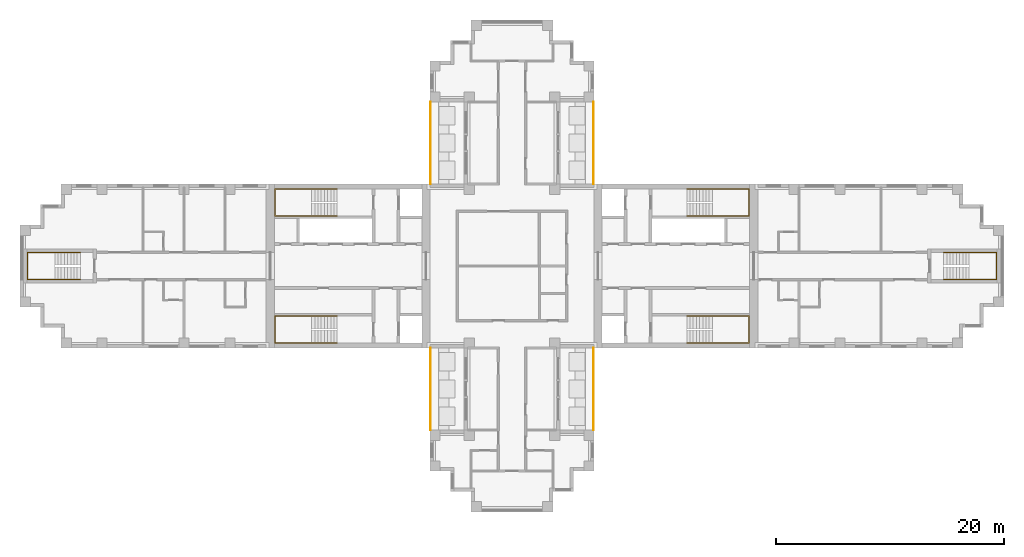
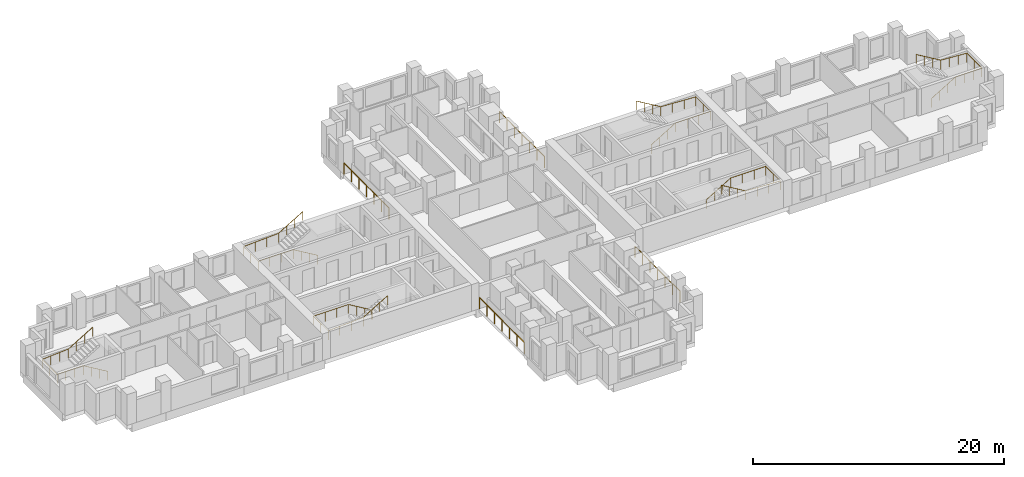
# One storey, part 11 of 12: 10 railings.
"""IFC4 building model written with IfcOpenShell, lengths in metres."""

from ifc_helpers import new_model, si_unit, direction, frame, origin, origin_2d, place, context, subcontext, project, spatial, circle, extrude, material, type_object, element, save


model = new_model("IFC4")

# Units and contexts
model_context = context("Model", 3, precision=1e-05, world=origin(), true_north=direction((0.0, 1.0)))
body_context = subcontext(model_context, "Body", "Model", "MODEL_VIEW")
ifc_project = project(units=[si_unit("LENGTHUNIT", "METRE"), si_unit("AREAUNIT", "SQUARE_METRE"), si_unit("VOLUMEUNIT", "CUBIC_METRE"), si_unit("PLANEANGLEUNIT", "RADIAN"), si_unit("MASSUNIT", "GRAM", prefix="KILO")], contexts=[model_context])

# Site, building, storey
site_placement = place(None, origin())
site = spatial("IfcSite", under=ifc_project, at=site_placement, CompositionType="ELEMENT")
building_placement = place(site_placement, origin())
building = spatial("IfcBuilding", under=site, at=building_placement, Name="Fustian Cross Tower", CompositionType="ELEMENT")
storey_placement = place(building_placement, frame((0.0, 0.0, 132.300048828125)))
storey = spatial("IfcBuildingStorey", under=building, at=storey_placement, Name="L41", CompositionType="ELEMENT", Elevation=132.300048828125)

# Railings
ifc_material_1 = material(Name="Stainless steel and glass", Category="steel")
railing_type_1 = type_object("IfcRailingType", Name="GR1 BALCONY GUARD 1100", PredefinedType="GUARDRAIL", material=ifc_material_1)
for number, where, name in (
    (1, (7.14990234375, 7.199951171875, 0.0), "Balcony guard"),
    (2, (-7.14990234375, 7.199951171875, 0.0), "Balcony guard"),
    (3, (7.14990234375, -14.39990234375, 0.0), "Balcony guard"),
    (4, (-7.14990234375, -14.39990234375, 0.0), "Balcony guard"),
):
    element("IfcRailing", number, at=place(storey_placement, frame(where)), inside=storey, type_object=railing_type_1, Name=name, PredefinedType="GUARDRAIL", context=body_context, shape_type="SweptSolid", body=[
        extrude(circle(Radius=0.02392578125, at=origin_2d()), frame((0.0, 0.0, 1.076171875), z_axis=(0.0, 1.0, 0.0), x_axis=(-1.0, 0.0, 0.0)), (0.0, 0.0, 1.0), 7.199951171875),
        extrude(circle(Radius=0.02099609375, at=origin_2d()), origin(), (0.0, 0.0, 1.0), 1.052001953125),
        extrude(circle(Radius=0.02099609375, at=origin_2d()), frame((0.0, 1.199951171875, 0.0)), (0.0, 0.0, 1.0), 1.052001953125),
        extrude(circle(Radius=0.02099609375, at=origin_2d()), frame((0.0, 2.39990234375, 0.0)), (0.0, 0.0, 1.0), 1.052001953125),
        extrude(circle(Radius=0.02099609375, at=origin_2d()), frame((0.0, 3.60009765625, 0.0)), (0.0, 0.0, 1.0), 1.052001953125),
        extrude(circle(Radius=0.02099609375, at=origin_2d()), frame((0.0, 4.800048828125, 0.0)), (0.0, 0.0, 1.0), 1.052001953125),
        extrude(circle(Radius=0.02099609375, at=origin_2d()), frame((0.0, 6.0, 0.0)), (0.0, 0.0, 1.0), 1.052001953125),
        extrude(circle(Radius=0.02099609375, at=origin_2d()), frame((0.0, 7.199951171875, 0.0)), (0.0, 0.0, 1.0), 1.052001953125),
    ])
ifc_material_2 = material(Name="Stainless steel", Category="steel")
railing_type_2 = type_object("IfcRailingType", Name="STAIR HANDRAIL", PredefinedType="HANDRAIL", material=ifc_material_2)
railing_1_placement = place(storey_placement, frame((15.35009765625, 4.39990234375, 0.16650390625)))
element("IfcRailing", 5, at=railing_1_placement, inside=storey, type_object=railing_type_2, Name="Stair ST1 handrail 1", PredefinedType="HANDRAIL", context=body_context, shape_type="SweptSolid", body=[
    extrude(circle(Radius=0.02490234375, at=origin_2d()), frame((0.0, 0.0, 0.875), z_axis=(0.859264461869, 0.0, 0.511531606619), x_axis=(0.0, 1.0, 0.0)), (0.0, 0.0, 1.0), 2.60693359375),
    extrude(circle(Radius=0.02490234375, at=origin_2d()), frame((2.239990234375, 0.0, 2.20849609375), z_axis=(1.0, 0.0, 0.0), x_axis=(0.0, 1.0, 0.0)), (0.0, 0.0, 1.0), 3.219970703125),
    extrude(circle(Radius=0.02490234375, at=origin_2d()), frame((5.4599609375, 0.0, 2.20849609375), z_axis=(0.0, 1.0, 0.0), x_axis=(-1.0, 0.0, 0.0)), (0.0, 0.0, 1.0), 2.35009765625),
    extrude(circle(Radius=0.02490234375, at=origin_2d()), frame((5.4599609375, 2.35009765625, 2.20849609375), z_axis=(-0.998665725648, 0.0, 0.051640763128), x_axis=(0.0, -1.0, 0.0)), (0.0, 0.0, 1.0), 3.224365234375),
    extrude(circle(Radius=0.02490234375, at=origin_2d()), frame((2.239990234375, 2.35009765625, 2.375), z_axis=(-0.859264461869, 0.0, 0.511531606619), x_axis=(0.0, -1.0, 0.0)), (0.0, 0.0, 1.0), 2.60693359375),
    extrude(circle(Radius=0.02001953125, at=origin_2d()), origin(), (0.0, 0.0, 1.0), 0.849853515625),
    extrude(circle(Radius=0.02001953125, at=origin_2d()), frame((0.74658203125, 0.0, 0.444580078125)), (0.0, 0.0, 1.0), 0.849853515625),
    extrude(circle(Radius=0.02001953125, at=origin_2d()), frame((1.493408203125, 0.0, 0.888916015625)), (0.0, 0.0, 1.0), 0.849853515625),
    extrude(circle(Radius=0.02001953125, at=origin_2d()), frame((2.239990234375, 0.0, 1.33349609375)), (0.0, 0.0, 1.0), 0.849853515625),
    extrude(circle(Radius=0.02001953125, at=origin_2d()), frame((3.313232421875, 0.0, 1.33349609375)), (0.0, 0.0, 1.0), 0.849853515625),
    extrude(circle(Radius=0.02001953125, at=origin_2d()), frame((4.38671875, 0.0, 1.33349609375)), (0.0, 0.0, 1.0), 0.849853515625),
    extrude(circle(Radius=0.02001953125, at=origin_2d()), frame((5.4599609375, 0.0, 1.33349609375)), (0.0, 0.0, 1.0), 0.849853515625),
    extrude(circle(Radius=0.02001953125, at=origin_2d()), frame((5.4599609375, 1.175048828125, 1.33349609375)), (0.0, 0.0, 1.0), 0.849853515625),
    extrude(circle(Radius=0.02001953125, at=origin_2d()), frame((5.4599609375, 2.35009765625, 1.33349609375)), (0.0, 0.0, 1.0), 0.849853515625),
    extrude(circle(Radius=0.02001953125, at=origin_2d()), frame((4.38671875, 2.35009765625, 1.388916015625)), (0.0, 0.0, 1.0), 0.849853515625),
    extrude(circle(Radius=0.02001953125, at=origin_2d()), frame((3.313232421875, 2.35009765625, 1.444580078125)), (0.0, 0.0, 1.0), 0.849853515625),
    extrude(circle(Radius=0.02001953125, at=origin_2d()), frame((2.239990234375, 2.35009765625, 1.5)), (0.0, 0.0, 1.0), 0.849853515625),
    extrude(circle(Radius=0.02001953125, at=origin_2d()), frame((1.493408203125, 2.35009765625, 1.944580078125)), (0.0, 0.0, 1.0), 0.849853515625),
    extrude(circle(Radius=0.02001953125, at=origin_2d()), frame((0.74658203125, 2.35009765625, 2.388916015625)), (0.0, 0.0, 1.0), 0.849853515625),
    extrude(circle(Radius=0.02001953125, at=origin_2d()), frame((0.0, 2.35009765625, 2.83349609375)), (0.0, 0.0, 1.0), 0.849853515625),
])
railing_2_placement = place(storey_placement, frame((15.35009765625, -4.39990234375, 0.16650390625)))
element("IfcRailing", 6, at=railing_2_placement, inside=storey, type_object=railing_type_2, Name="Stair ST2 handrail 1", PredefinedType="HANDRAIL", context=body_context, shape_type="SweptSolid", body=[
    extrude(circle(Radius=0.02490234375, at=origin_2d()), frame((0.0, 0.0, 0.875), z_axis=(0.859264461869, 0.0, 0.511531606619), x_axis=(0.0, 1.0, 0.0)), (0.0, 0.0, 1.0), 2.60693359375),
    extrude(circle(Radius=0.02490234375, at=origin_2d()), frame((2.239990234375, 0.0, 2.20849609375), z_axis=(1.0, 0.0, 0.0), x_axis=(0.0, 1.0, 0.0)), (0.0, 0.0, 1.0), 3.219970703125),
    extrude(circle(Radius=0.02490234375, at=origin_2d()), frame((5.4599609375, 0.0, 2.20849609375), z_axis=(0.0, -1.0, 0.0), x_axis=(1.0, 0.0, 0.0)), (0.0, 0.0, 1.0), 2.35009765625),
    extrude(circle(Radius=0.02490234375, at=origin_2d()), frame((5.4599609375, -2.35009765625, 2.20849609375), z_axis=(-0.998665725648, 0.0, 0.051640763128), x_axis=(0.0, -1.0, 0.0)), (0.0, 0.0, 1.0), 3.224365234375),
    extrude(circle(Radius=0.02490234375, at=origin_2d()), frame((2.239990234375, -2.35009765625, 2.375), z_axis=(-0.859264461869, 0.0, 0.511531606619), x_axis=(0.0, -1.0, 0.0)), (0.0, 0.0, 1.0), 2.60693359375),
    extrude(circle(Radius=0.02001953125, at=origin_2d()), origin(), (0.0, 0.0, 1.0), 0.849853515625),
    extrude(circle(Radius=0.02001953125, at=origin_2d()), frame((0.74658203125, 0.0, 0.444580078125)), (0.0, 0.0, 1.0), 0.849853515625),
    extrude(circle(Radius=0.02001953125, at=origin_2d()), frame((1.493408203125, 0.0, 0.888916015625)), (0.0, 0.0, 1.0), 0.849853515625),
    extrude(circle(Radius=0.02001953125, at=origin_2d()), frame((2.239990234375, 0.0, 1.33349609375)), (0.0, 0.0, 1.0), 0.849853515625),
    extrude(circle(Radius=0.02001953125, at=origin_2d()), frame((3.313232421875, 0.0, 1.33349609375)), (0.0, 0.0, 1.0), 0.849853515625),
    extrude(circle(Radius=0.02001953125, at=origin_2d()), frame((4.38671875, 0.0, 1.33349609375)), (0.0, 0.0, 1.0), 0.849853515625),
    extrude(circle(Radius=0.02001953125, at=origin_2d()), frame((5.4599609375, 0.0, 1.33349609375)), (0.0, 0.0, 1.0), 0.849853515625),
    extrude(circle(Radius=0.02001953125, at=origin_2d()), frame((5.4599609375, -1.175048828125, 1.33349609375)), (0.0, 0.0, 1.0), 0.849853515625),
    extrude(circle(Radius=0.02001953125, at=origin_2d()), frame((5.4599609375, -2.35009765625, 1.33349609375)), (0.0, 0.0, 1.0), 0.849853515625),
    extrude(circle(Radius=0.02001953125, at=origin_2d()), frame((4.38671875, -2.35009765625, 1.388916015625)), (0.0, 0.0, 1.0), 0.849853515625),
    extrude(circle(Radius=0.02001953125, at=origin_2d()), frame((3.313232421875, -2.35009765625, 1.444580078125)), (0.0, 0.0, 1.0), 0.849853515625),
    extrude(circle(Radius=0.02001953125, at=origin_2d()), frame((2.239990234375, -2.35009765625, 1.5)), (0.0, 0.0, 1.0), 0.849853515625),
    extrude(circle(Radius=0.02001953125, at=origin_2d()), frame((1.493408203125, -2.35009765625, 1.944580078125)), (0.0, 0.0, 1.0), 0.849853515625),
    extrude(circle(Radius=0.02001953125, at=origin_2d()), frame((0.74658203125, -2.35009765625, 2.388916015625)), (0.0, 0.0, 1.0), 0.849853515625),
    extrude(circle(Radius=0.02001953125, at=origin_2d()), frame((0.0, -2.35009765625, 2.83349609375)), (0.0, 0.0, 1.0), 0.849853515625),
])
railing_3_placement = place(storey_placement, frame((-15.35009765625, 4.39990234375, 0.16650390625)))
element("IfcRailing", 7, at=railing_3_placement, inside=storey, type_object=railing_type_2, Name="Stair ST3 handrail 1", PredefinedType="HANDRAIL", context=body_context, shape_type="SweptSolid", body=[
    extrude(circle(Radius=0.02490234375, at=origin_2d()), frame((0.0, 0.0, 0.875), z_axis=(-0.859264461869, 0.0, 0.511531606619), x_axis=(0.0, -1.0, 0.0)), (0.0, 0.0, 1.0), 2.60693359375),
    extrude(circle(Radius=0.02490234375, at=origin_2d()), frame((-2.239990234375, 0.0, 2.20849609375), z_axis=(-1.0, 0.0, 0.0), x_axis=(0.0, -1.0, 0.0)), (0.0, 0.0, 1.0), 3.219970703125),
    extrude(circle(Radius=0.02490234375, at=origin_2d()), frame((-5.4599609375, 0.0, 2.20849609375), z_axis=(0.0, 1.0, 0.0), x_axis=(-1.0, 0.0, 0.0)), (0.0, 0.0, 1.0), 2.35009765625),
    extrude(circle(Radius=0.02490234375, at=origin_2d()), frame((-5.4599609375, 2.35009765625, 2.20849609375), z_axis=(0.998665725648, 0.0, 0.051640763128), x_axis=(0.0, 1.0, 0.0)), (0.0, 0.0, 1.0), 3.224365234375),
    extrude(circle(Radius=0.02490234375, at=origin_2d()), frame((-2.239990234375, 2.35009765625, 2.375), z_axis=(0.859264461869, 0.0, 0.511531606619), x_axis=(0.0, 1.0, 0.0)), (0.0, 0.0, 1.0), 2.60693359375),
    extrude(circle(Radius=0.02001953125, at=origin_2d()), origin(), (0.0, 0.0, 1.0), 0.849853515625),
    extrude(circle(Radius=0.02001953125, at=origin_2d()), frame((-0.74658203125, 0.0, 0.444580078125)), (0.0, 0.0, 1.0), 0.849853515625),
    extrude(circle(Radius=0.02001953125, at=origin_2d()), frame((-1.493408203125, 0.0, 0.888916015625)), (0.0, 0.0, 1.0), 0.849853515625),
    extrude(circle(Radius=0.02001953125, at=origin_2d()), frame((-2.239990234375, 0.0, 1.33349609375)), (0.0, 0.0, 1.0), 0.849853515625),
    extrude(circle(Radius=0.02001953125, at=origin_2d()), frame((-3.313232421875, 0.0, 1.33349609375)), (0.0, 0.0, 1.0), 0.849853515625),
    extrude(circle(Radius=0.02001953125, at=origin_2d()), frame((-4.38671875, 0.0, 1.33349609375)), (0.0, 0.0, 1.0), 0.849853515625),
    extrude(circle(Radius=0.02001953125, at=origin_2d()), frame((-5.4599609375, 0.0, 1.33349609375)), (0.0, 0.0, 1.0), 0.849853515625),
    extrude(circle(Radius=0.02001953125, at=origin_2d()), frame((-5.4599609375, 1.175048828125, 1.33349609375)), (0.0, 0.0, 1.0), 0.849853515625),
    extrude(circle(Radius=0.02001953125, at=origin_2d()), frame((-5.4599609375, 2.35009765625, 1.33349609375)), (0.0, 0.0, 1.0), 0.849853515625),
    extrude(circle(Radius=0.02001953125, at=origin_2d()), frame((-4.38671875, 2.35009765625, 1.388916015625)), (0.0, 0.0, 1.0), 0.849853515625),
    extrude(circle(Radius=0.02001953125, at=origin_2d()), frame((-3.313232421875, 2.35009765625, 1.444580078125)), (0.0, 0.0, 1.0), 0.849853515625),
    extrude(circle(Radius=0.02001953125, at=origin_2d()), frame((-2.239990234375, 2.35009765625, 1.5)), (0.0, 0.0, 1.0), 0.849853515625),
    extrude(circle(Radius=0.02001953125, at=origin_2d()), frame((-1.493408203125, 2.35009765625, 1.944580078125)), (0.0, 0.0, 1.0), 0.849853515625),
    extrude(circle(Radius=0.02001953125, at=origin_2d()), frame((-0.74658203125, 2.35009765625, 2.388916015625)), (0.0, 0.0, 1.0), 0.849853515625),
    extrude(circle(Radius=0.02001953125, at=origin_2d()), frame((0.0, 2.35009765625, 2.83349609375)), (0.0, 0.0, 1.0), 0.849853515625),
])
railing_4_placement = place(storey_placement, frame((-15.35009765625, -4.39990234375, 0.16650390625)))
element("IfcRailing", 8, at=railing_4_placement, inside=storey, type_object=railing_type_2, Name="Stair ST4 handrail 1", PredefinedType="HANDRAIL", context=body_context, shape_type="SweptSolid", body=[
    extrude(circle(Radius=0.02490234375, at=origin_2d()), frame((0.0, 0.0, 0.875), z_axis=(-0.859264461869, 0.0, 0.511531606619), x_axis=(0.0, -1.0, 0.0)), (0.0, 0.0, 1.0), 2.60693359375),
    extrude(circle(Radius=0.02490234375, at=origin_2d()), frame((-2.239990234375, 0.0, 2.20849609375), z_axis=(-1.0, 0.0, 0.0), x_axis=(0.0, -1.0, 0.0)), (0.0, 0.0, 1.0), 3.219970703125),
    extrude(circle(Radius=0.02490234375, at=origin_2d()), frame((-5.4599609375, 0.0, 2.20849609375), z_axis=(0.0, -1.0, 0.0), x_axis=(1.0, 0.0, 0.0)), (0.0, 0.0, 1.0), 2.35009765625),
    extrude(circle(Radius=0.02490234375, at=origin_2d()), frame((-5.4599609375, -2.35009765625, 2.20849609375), z_axis=(0.998665725648, 0.0, 0.051640763128), x_axis=(0.0, 1.0, 0.0)), (0.0, 0.0, 1.0), 3.224365234375),
    extrude(circle(Radius=0.02490234375, at=origin_2d()), frame((-2.239990234375, -2.35009765625, 2.375), z_axis=(0.859264461869, 0.0, 0.511531606619), x_axis=(0.0, 1.0, 0.0)), (0.0, 0.0, 1.0), 2.60693359375),
    extrude(circle(Radius=0.02001953125, at=origin_2d()), origin(), (0.0, 0.0, 1.0), 0.849853515625),
    extrude(circle(Radius=0.02001953125, at=origin_2d()), frame((-0.74658203125, 0.0, 0.444580078125)), (0.0, 0.0, 1.0), 0.849853515625),
    extrude(circle(Radius=0.02001953125, at=origin_2d()), frame((-1.493408203125, 0.0, 0.888916015625)), (0.0, 0.0, 1.0), 0.849853515625),
    extrude(circle(Radius=0.02001953125, at=origin_2d()), frame((-2.239990234375, 0.0, 1.33349609375)), (0.0, 0.0, 1.0), 0.849853515625),
    extrude(circle(Radius=0.02001953125, at=origin_2d()), frame((-3.313232421875, 0.0, 1.33349609375)), (0.0, 0.0, 1.0), 0.849853515625),
    extrude(circle(Radius=0.02001953125, at=origin_2d()), frame((-4.38671875, 0.0, 1.33349609375)), (0.0, 0.0, 1.0), 0.849853515625),
    extrude(circle(Radius=0.02001953125, at=origin_2d()), frame((-5.4599609375, 0.0, 1.33349609375)), (0.0, 0.0, 1.0), 0.849853515625),
    extrude(circle(Radius=0.02001953125, at=origin_2d()), frame((-5.4599609375, -1.175048828125, 1.33349609375)), (0.0, 0.0, 1.0), 0.849853515625),
    extrude(circle(Radius=0.02001953125, at=origin_2d()), frame((-5.4599609375, -2.35009765625, 1.33349609375)), (0.0, 0.0, 1.0), 0.849853515625),
    extrude(circle(Radius=0.02001953125, at=origin_2d()), frame((-4.38671875, -2.35009765625, 1.388916015625)), (0.0, 0.0, 1.0), 0.849853515625),
    extrude(circle(Radius=0.02001953125, at=origin_2d()), frame((-3.313232421875, -2.35009765625, 1.444580078125)), (0.0, 0.0, 1.0), 0.849853515625),
    extrude(circle(Radius=0.02001953125, at=origin_2d()), frame((-2.239990234375, -2.35009765625, 1.5)), (0.0, 0.0, 1.0), 0.849853515625),
    extrude(circle(Radius=0.02001953125, at=origin_2d()), frame((-1.493408203125, -2.35009765625, 1.944580078125)), (0.0, 0.0, 1.0), 0.849853515625),
    extrude(circle(Radius=0.02001953125, at=origin_2d()), frame((-0.74658203125, -2.35009765625, 2.388916015625)), (0.0, 0.0, 1.0), 0.849853515625),
    extrude(circle(Radius=0.02001953125, at=origin_2d()), frame((0.0, -2.35009765625, 2.83349609375)), (0.0, 0.0, 1.0), 0.849853515625),
])
railing_5_placement = place(storey_placement, frame((37.89990234375, -1.199951171875, 0.16650390625)))
element("IfcRailing", 9, at=railing_5_placement, inside=storey, type_object=railing_type_2, Name="Stair ST8 handrail 1", PredefinedType="HANDRAIL", context=body_context, shape_type="SweptSolid", body=[
    extrude(circle(Radius=0.02490234375, at=origin_2d()), frame((0.0, 0.0, 0.875), z_axis=(0.859264461869, 0.0, 0.511531606619), x_axis=(0.0, 1.0, 0.0)), (0.0, 0.0, 1.0), 2.60693359375),
    extrude(circle(Radius=0.02490234375, at=origin_2d()), frame((2.239990234375, 0.0, 2.20849609375), z_axis=(1.0, 0.0, 0.0), x_axis=(0.0, 1.0, 0.0)), (0.0, 0.0, 1.0), 2.420166015625),
    extrude(circle(Radius=0.02490234375, at=origin_2d()), frame((4.66015625, 0.0, 2.20849609375), z_axis=(0.0, 1.0, 0.0), x_axis=(-1.0, 0.0, 0.0)), (0.0, 0.0, 1.0), 2.39990234375),
    extrude(circle(Radius=0.02490234375, at=origin_2d()), frame((4.66015625, 2.39990234375, 2.20849609375), z_axis=(-0.997641748275, 0.0, 0.068636303069), x_axis=(0.0, -1.0, 0.0)), (0.0, 0.0, 1.0), 2.42578125),
    extrude(circle(Radius=0.02490234375, at=origin_2d()), frame((2.239990234375, 2.39990234375, 2.375), z_axis=(-0.859264461869, 0.0, 0.511531606619), x_axis=(0.0, -1.0, 0.0)), (0.0, 0.0, 1.0), 2.60693359375),
    extrude(circle(Radius=0.02001953125, at=origin_2d()), origin(), (0.0, 0.0, 1.0), 0.849853515625),
    extrude(circle(Radius=0.02001953125, at=origin_2d()), frame((0.74658203125, 0.0, 0.444580078125)), (0.0, 0.0, 1.0), 0.849853515625),
    extrude(circle(Radius=0.02001953125, at=origin_2d()), frame((1.493408203125, 0.0, 0.888916015625)), (0.0, 0.0, 1.0), 0.849853515625),
    extrude(circle(Radius=0.02001953125, at=origin_2d()), frame((2.239990234375, 0.0, 1.33349609375)), (0.0, 0.0, 1.0), 0.849853515625),
    extrude(circle(Radius=0.02001953125, at=origin_2d()), frame((3.046630859375, 0.0, 1.33349609375)), (0.0, 0.0, 1.0), 0.849853515625),
    extrude(circle(Radius=0.02001953125, at=origin_2d()), frame((3.853515625, 0.0, 1.33349609375)), (0.0, 0.0, 1.0), 0.849853515625),
    extrude(circle(Radius=0.02001953125, at=origin_2d()), frame((4.66015625, 0.0, 1.33349609375)), (0.0, 0.0, 1.0), 0.849853515625),
    extrude(circle(Radius=0.02001953125, at=origin_2d()), frame((4.66015625, 1.199951171875, 1.33349609375)), (0.0, 0.0, 1.0), 0.849853515625),
    extrude(circle(Radius=0.02001953125, at=origin_2d()), frame((4.66015625, 2.39990234375, 1.33349609375)), (0.0, 0.0, 1.0), 0.849853515625),
    extrude(circle(Radius=0.02001953125, at=origin_2d()), frame((3.853515625, 2.39990234375, 1.388916015625)), (0.0, 0.0, 1.0), 0.849853515625),
    extrude(circle(Radius=0.02001953125, at=origin_2d()), frame((3.046630859375, 2.39990234375, 1.444580078125)), (0.0, 0.0, 1.0), 0.849853515625),
    extrude(circle(Radius=0.02001953125, at=origin_2d()), frame((2.239990234375, 2.39990234375, 1.5)), (0.0, 0.0, 1.0), 0.849853515625),
    extrude(circle(Radius=0.02001953125, at=origin_2d()), frame((1.493408203125, 2.39990234375, 1.944580078125)), (0.0, 0.0, 1.0), 0.849853515625),
    extrude(circle(Radius=0.02001953125, at=origin_2d()), frame((0.74658203125, 2.39990234375, 2.388916015625)), (0.0, 0.0, 1.0), 0.849853515625),
    extrude(circle(Radius=0.02001953125, at=origin_2d()), frame((0.0, 2.39990234375, 2.83349609375)), (0.0, 0.0, 1.0), 0.849853515625),
])
railing_6_placement = place(storey_placement, frame((-37.89990234375, -1.199951171875, 0.16650390625)))
element("IfcRailing", 10, at=railing_6_placement, inside=storey, type_object=railing_type_2, Name="Stair ST9 handrail 1", PredefinedType="HANDRAIL", context=body_context, shape_type="SweptSolid", body=[
    extrude(circle(Radius=0.02490234375, at=origin_2d()), frame((0.0, 0.0, 0.875), z_axis=(-0.859264461869, 0.0, 0.511531606619), x_axis=(0.0, -1.0, 0.0)), (0.0, 0.0, 1.0), 2.60693359375),
    extrude(circle(Radius=0.02490234375, at=origin_2d()), frame((-2.239990234375, 0.0, 2.20849609375), z_axis=(-1.0, 0.0, 0.0), x_axis=(0.0, -1.0, 0.0)), (0.0, 0.0, 1.0), 2.420166015625),
    extrude(circle(Radius=0.02490234375, at=origin_2d()), frame((-4.66015625, 0.0, 2.20849609375), z_axis=(0.0, 1.0, 0.0), x_axis=(-1.0, 0.0, 0.0)), (0.0, 0.0, 1.0), 2.39990234375),
    extrude(circle(Radius=0.02490234375, at=origin_2d()), frame((-4.66015625, 2.39990234375, 2.20849609375), z_axis=(0.997641748275, 0.0, 0.068636303069), x_axis=(0.0, 1.0, 0.0)), (0.0, 0.0, 1.0), 2.42578125),
    extrude(circle(Radius=0.02490234375, at=origin_2d()), frame((-2.239990234375, 2.39990234375, 2.375), z_axis=(0.859264461869, 0.0, 0.511531606619), x_axis=(0.0, 1.0, 0.0)), (0.0, 0.0, 1.0), 2.60693359375),
    extrude(circle(Radius=0.02001953125, at=origin_2d()), origin(), (0.0, 0.0, 1.0), 0.849853515625),
    extrude(circle(Radius=0.02001953125, at=origin_2d()), frame((-0.74658203125, 0.0, 0.444580078125)), (0.0, 0.0, 1.0), 0.849853515625),
    extrude(circle(Radius=0.02001953125, at=origin_2d()), frame((-1.493408203125, 0.0, 0.888916015625)), (0.0, 0.0, 1.0), 0.849853515625),
    extrude(circle(Radius=0.02001953125, at=origin_2d()), frame((-2.239990234375, 0.0, 1.33349609375)), (0.0, 0.0, 1.0), 0.849853515625),
    extrude(circle(Radius=0.02001953125, at=origin_2d()), frame((-3.046630859375, 0.0, 1.33349609375)), (0.0, 0.0, 1.0), 0.849853515625),
    extrude(circle(Radius=0.02001953125, at=origin_2d()), frame((-3.853515625, 0.0, 1.33349609375)), (0.0, 0.0, 1.0), 0.849853515625),
    extrude(circle(Radius=0.02001953125, at=origin_2d()), frame((-4.66015625, 0.0, 1.33349609375)), (0.0, 0.0, 1.0), 0.849853515625),
    extrude(circle(Radius=0.02001953125, at=origin_2d()), frame((-4.66015625, 1.199951171875, 1.33349609375)), (0.0, 0.0, 1.0), 0.849853515625),
    extrude(circle(Radius=0.02001953125, at=origin_2d()), frame((-4.66015625, 2.39990234375, 1.33349609375)), (0.0, 0.0, 1.0), 0.849853515625),
    extrude(circle(Radius=0.02001953125, at=origin_2d()), frame((-3.853515625, 2.39990234375, 1.388916015625)), (0.0, 0.0, 1.0), 0.849853515625),
    extrude(circle(Radius=0.02001953125, at=origin_2d()), frame((-3.046630859375, 2.39990234375, 1.444580078125)), (0.0, 0.0, 1.0), 0.849853515625),
    extrude(circle(Radius=0.02001953125, at=origin_2d()), frame((-2.239990234375, 2.39990234375, 1.5)), (0.0, 0.0, 1.0), 0.849853515625),
    extrude(circle(Radius=0.02001953125, at=origin_2d()), frame((-1.493408203125, 2.39990234375, 1.944580078125)), (0.0, 0.0, 1.0), 0.849853515625),
    extrude(circle(Radius=0.02001953125, at=origin_2d()), frame((-0.74658203125, 2.39990234375, 2.388916015625)), (0.0, 0.0, 1.0), 0.849853515625),
    extrude(circle(Radius=0.02001953125, at=origin_2d()), frame((0.0, 2.39990234375, 2.83349609375)), (0.0, 0.0, 1.0), 0.849853515625),
])

save(model, "model.ifc")
